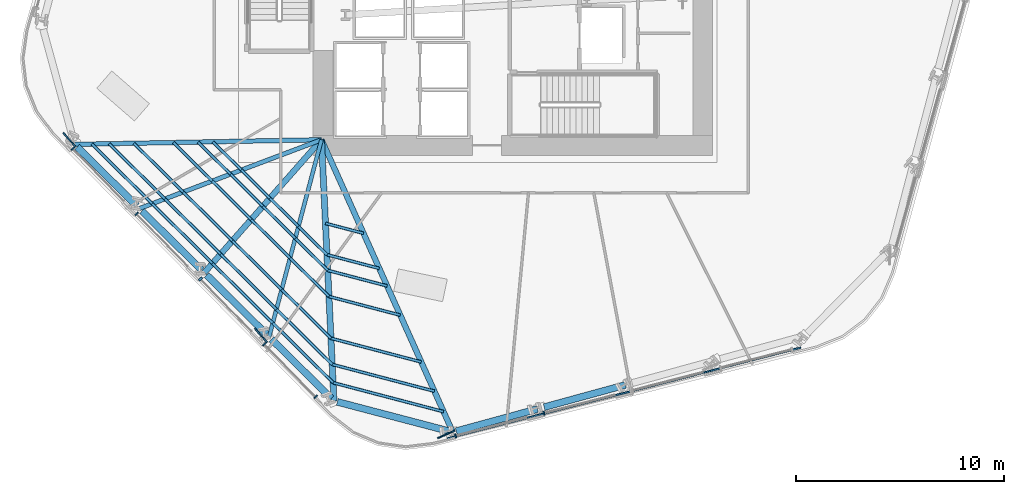
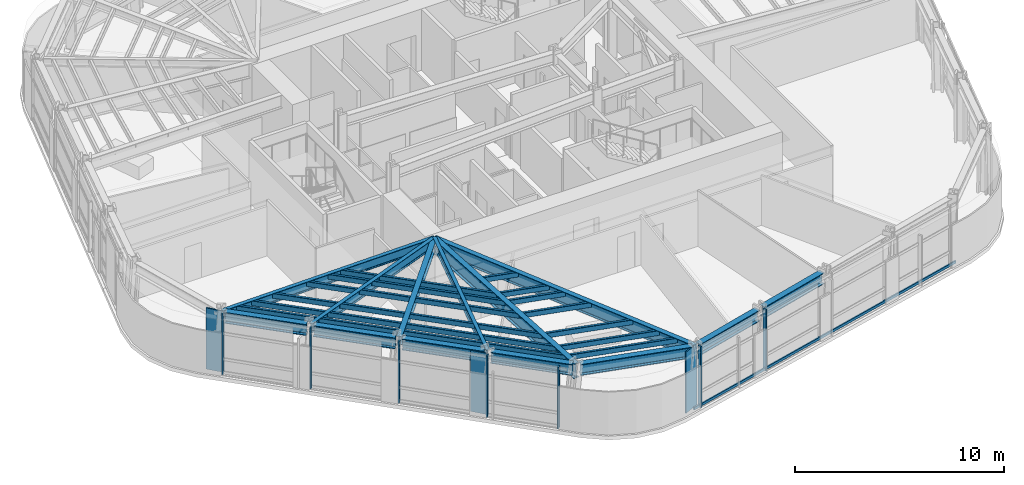
# One storey, part 2 of 17: 42 members, 13 beams, 2 elements without a shape of their own.
"""IFC4 building model written with IfcOpenShell, lengths in metres."""

from ifc_helpers import new_model, si_unit, direction, frame, origin, origin_2d, place, context, subcontext, project, spatial, rectangle, hollow_rectangle, i_section, extrude, material, layer, layer_set, material_profile, profile_set, type_object, element, aggregate, save


model = new_model("IFC4")

# Units and contexts
model_context = context("Model", 3, precision=1e-05, world=origin(), true_north=direction((0.0, 1.0)))
body_context = subcontext(model_context, "Body", "Model", "MODEL_VIEW")
ifc_project = project(units=[si_unit("LENGTHUNIT", "METRE"), si_unit("AREAUNIT", "SQUARE_METRE"), si_unit("VOLUMEUNIT", "CUBIC_METRE"), si_unit("PLANEANGLEUNIT", "RADIAN"), si_unit("MASSUNIT", "GRAM", prefix="KILO")], contexts=[model_context])

# Site, building, storey
site_placement = place(None, origin())
site = spatial("IfcSite", under=ifc_project, at=site_placement, CompositionType="ELEMENT")
building_placement = place(site_placement, origin())
building = spatial("IfcBuilding", under=site, at=building_placement, Name="Valkerne Bourse Tower", CompositionType="ELEMENT")
storey_placement = place(building_placement, frame((0.0, 0.0, 85.800048828125)))
storey = spatial("IfcBuildingStorey", under=building, at=storey_placement, Name="L21", CompositionType="ELEMENT", Elevation=85.800048828125)

# Beams
ifc_material_1 = material(Name="Steel ASTM A992", Category="steel")
ifc_material_profile_1 = material_profile(ifc_material_1, i_section(OverallWidth=0.1904296875, OverallDepth=0.457275390625, WebThickness=0.009033203125, FlangeThickness=0.014404296875, FilletRadius=0.01513671875, at=origin_2d()), Name="W18X50")
ifc_profile_set_1 = profile_set([ifc_material_profile_1], Name="Steel ASTM A992")
beam_type_1 = type_object("IfcBeamType", Name="BM-W18X50", PredefinedType="JOIST", material=ifc_profile_set_1)
beam_1_placement = place(storey_placement, frame((35.08251953125, 8.927978515625, 3.351318359375), z_axis=(0.256874944894, 0.966444650606, 0.0), x_axis=(-0.966444650606, 0.256874944894, 0.0)))
element("IfcBeam", 1, at=beam_1_placement, inside=storey, type_object=beam_type_1, Name="L21 Radial Composite Floor Beam 18", PredefinedType="JOIST", context=body_context, shape_type="SweptSolid", body=[
    extrude(i_section(OverallWidth=0.1904296875, OverallDepth=0.457275390625, WebThickness=0.009033203125, FlangeThickness=0.014404296875, FilletRadius=0.01513671875, at=origin_2d()), origin(), (0.0, 0.0, 1.0), 9.80078125),
])
ifc_material_profile_2 = material_profile(ifc_material_1, i_section(OverallWidth=0.279296875, OverallDepth=0.46240234375, WebThickness=0.0107421875, FlangeThickness=0.017333984375, FilletRadius=0.017822265625, at=origin_2d()), Name="W18X76")
ifc_profile_set_2 = profile_set([ifc_material_profile_2], Name="Steel ASTM A992")
beam_type_2 = type_object("IfcBeamType", Name="BM-W18X76", PredefinedType="BEAM", material=ifc_profile_set_2)
beam_2_placement = place(storey_placement, frame((31.967041015625, 12.010986328125, 3.3486328125), z_axis=(0.661342879331, 0.750083725966, 0.0), x_axis=(-0.750083725966, 0.661342879331, 0.0)))
element("IfcBeam", 2, at=beam_2_placement, inside=storey, type_object=beam_type_2, Name="L21 Radial Composite Floor Beam 17", PredefinedType="BEAM", context=body_context, shape_type="SweptSolid", body=[
    extrude(i_section(OverallWidth=0.279296875, OverallDepth=0.46240234375, WebThickness=0.0107421875, FlangeThickness=0.017333984375, FilletRadius=0.017822265625, at=origin_2d()), origin(), (0.0, 0.0, 1.0), 8.517578125),
])
ifc_material_profile_3 = material_profile(ifc_material_1, i_section(OverallWidth=0.209228515625, OverallDepth=0.533447265625, WebThickness=0.01025390625, FlangeThickness=0.015625, FilletRadius=0.017822265625, at=origin_2d()), Name="W21X62")
ifc_profile_set_3 = profile_set([ifc_material_profile_3], Name="Steel ASTM A992")
beam_type_3 = type_object("IfcBeamType", Name="BM-W21X62", PredefinedType="JOIST", material=ifc_profile_set_3)
beam_3_placement = place(storey_placement, frame((28.8515625, 15.09375, 3.313232421875), z_axis=(0.935431430217, 0.353508188536, 0.0), x_axis=(-0.353508188536, 0.935431430217, 0.0)))
element("IfcBeam", 3, at=beam_3_placement, inside=storey, type_object=beam_type_3, Name="L21 Radial Composite Floor Beam 16", PredefinedType="JOIST", context=body_context, shape_type="SweptSolid", body=[
    extrude(i_section(OverallWidth=0.209228515625, OverallDepth=0.533447265625, WebThickness=0.01025390625, FlangeThickness=0.015625, FilletRadius=0.017822265625, at=origin_2d()), origin(), (0.0, 0.0, 1.0), 9.352294921875),
])
ifc_material_profile_4 = material_profile(ifc_material_1, i_section(OverallWidth=0.2138671875, OverallDepth=0.548583984375, WebThickness=0.0146484375, FlangeThickness=0.023681640625, FilletRadius=0.017822265625, at=origin_2d()), Name="W21X93")
ifc_profile_set_4 = profile_set([ifc_material_profile_4], Name="Steel ASTM A992")
beam_type_4 = type_object("IfcBeamType", Name="BM-W21X93", PredefinedType="BEAM", material=ifc_profile_set_4)
beam_4_placement = place(storey_placement, frame((25.736083984375, 18.1767578125, 3.3056640625), z_axis=(0.999823166715, 0.018805193423, 0.0), x_axis=(-0.018805193423, 0.999823166715, 0.0)))
element("IfcBeam", 4, at=beam_4_placement, inside=storey, type_object=beam_type_4, Name="L21 Radial Composite Floor Beam 15", PredefinedType="BEAM", context=body_context, shape_type="SweptSolid", body=[
    extrude(i_section(OverallWidth=0.2138671875, OverallDepth=0.548583984375, WebThickness=0.0146484375, FlangeThickness=0.023681640625, FilletRadius=0.017822265625, at=origin_2d()), origin(), (0.0, 0.0, 1.0), 11.8662109375),
])
ifc_material_profile_5 = material_profile(ifc_material_1, i_section(OverallWidth=0.330078125, OverallDepth=0.647705078125, WebThickness=0.0205078125, FlangeThickness=0.037109375, FilletRadius=0.020263671875, at=origin_2d()), Name="W24X192")
ifc_profile_set_5 = profile_set([ifc_material_profile_5], Name="Steel ASTM A992")
beam_type_5 = type_object("IfcBeamType", Name="BM-W24X192", PredefinedType="SPANDREL", material=ifc_profile_set_5)
beam_5_placement = place(storey_placement, frame((25.85693359375, 18.05712890625, 3.256103515625), z_axis=(0.71081080522, -0.703383251992, 0.0), x_axis=(0.703383251992, 0.71081080522, 0.0)))
element("IfcBeam", 5, at=beam_5_placement, inside=storey, type_object=beam_type_5, Name="L21 Hexagonal Spandrel Ring Beam 15", PredefinedType="SPANDREL", context=body_context, shape_type="SweptSolid", body=[
    extrude(i_section(OverallWidth=0.330078125, OverallDepth=0.647705078125, WebThickness=0.0205078125, FlangeThickness=0.037109375, FilletRadius=0.020263671875, at=origin_2d()), origin(), (0.0, 0.0, 1.0), 4.04296875),
])
beam_6_placement = place(storey_placement, frame((28.972412109375, 14.97412109375, 3.256103515625), z_axis=(0.710840997487, -0.703352739592, 0.0), x_axis=(0.703352739592, 0.710840997487, 0.0)))
element("IfcBeam", 6, at=beam_6_placement, inside=storey, type_object=beam_type_5, Name="L21 Hexagonal Spandrel Ring Beam 16", PredefinedType="SPANDREL", context=body_context, shape_type="SweptSolid", body=[
    extrude(i_section(OverallWidth=0.330078125, OverallDepth=0.647705078125, WebThickness=0.0205078125, FlangeThickness=0.037109375, FilletRadius=0.020263671875, at=origin_2d()), origin(), (0.0, 0.0, 1.0), 4.042724609375),
])
beam_7_placement = place(storey_placement, frame((32.087890625, 11.891357421875, 3.256103515625), z_axis=(0.71081080522, -0.703383251992, 0.0), x_axis=(0.703383251992, 0.71081080522, 0.0)))
element("IfcBeam", 7, at=beam_7_placement, inside=storey, type_object=beam_type_5, Name="L21 Hexagonal Spandrel Ring Beam 17", PredefinedType="SPANDREL", context=body_context, shape_type="SweptSolid", body=[
    extrude(i_section(OverallWidth=0.330078125, OverallDepth=0.647705078125, WebThickness=0.0205078125, FlangeThickness=0.037109375, FilletRadius=0.020263671875, at=origin_2d()), origin(), (0.0, 0.0, 1.0), 4.04296875),
])
beam_8_placement = place(storey_placement, frame((35.203125, 8.808349609375, 3.256103515625), z_axis=(0.710840679451, -0.703353061013, 0.0), x_axis=(0.703353061013, 0.710840679451, 0.0)))
element("IfcBeam", 8, at=beam_8_placement, inside=storey, type_object=beam_type_5, Name="L21 Hexagonal Spandrel Ring Beam 18", PredefinedType="SPANDREL", context=body_context, shape_type="SweptSolid", body=[
    extrude(i_section(OverallWidth=0.330078125, OverallDepth=0.647705078125, WebThickness=0.0205078125, FlangeThickness=0.037109375, FilletRadius=0.020263671875, at=origin_2d()), origin(), (0.0, 0.0, 1.0), 4.043212890625),
])
beam_9_placement = place(storey_placement, frame((38.3623046875, 5.8017578125, 3.256103515625), z_axis=(0.967266914695, -0.253761139139, 0.0), x_axis=(0.253761139139, 0.967266914695, 0.0)))
element("IfcBeam", 9, at=beam_9_placement, inside=storey, type_object=beam_type_5, Name="L21 Hexagonal Spandrel Ring Beam 19", PredefinedType="SPANDREL", context=body_context, shape_type="SweptSolid", body=[
    extrude(i_section(OverallWidth=0.330078125, OverallDepth=0.647705078125, WebThickness=0.0205078125, FlangeThickness=0.037109375, FilletRadius=0.020263671875, at=origin_2d()), origin(), (0.0, 0.0, 1.0), 5.564697265625),
])
for number, where, z_axis, x_axis, name in (
    (10, (44.0732421875, 4.3916015625, 3.256103515625), (0.964568458165, 0.263832692276, 0.0), (-0.263832692276, 0.964568458165, 0.0), "L21 Hexagonal Spandrel Ring Beam 20"),
    (11, (48.30078125, 5.548095703125, 3.256103515625), (0.964568458165, 0.263832692276, 0.0), (-0.263832692276, 0.964568458165, 0.0), "L21 Hexagonal Spandrel Ring Beam 21"),
):
    element("IfcBeam", number, at=place(storey_placement, frame(where, z_axis=z_axis, x_axis=x_axis)), inside=storey, type_object=beam_type_5, Name=name, PredefinedType="SPANDREL", context=body_context, shape_type="SweptSolid", body=[
        extrude(i_section(OverallWidth=0.330078125, OverallDepth=0.647705078125, WebThickness=0.0205078125, FlangeThickness=0.037109375, FilletRadius=0.020263671875, at=origin_2d()), origin(), (0.0, 0.0, 1.0), 4.04296875),
    ])
ifc_material_profile_6 = material_profile(ifc_material_1, i_section(OverallWidth=0.26806640625, OverallDepth=0.76953125, WebThickness=0.015625, FlangeThickness=0.025390625, FilletRadius=0.025390625, at=origin_2d()), Name="W30X132")
ifc_profile_set_6 = profile_set([ifc_material_profile_6], Name="Steel ASTM A992")
beam_type_6 = type_object("IfcBeamType", Name="BM-W30X132", PredefinedType="BEAM", material=ifc_profile_set_6)
beam_10_placement = place(storey_placement, frame((43.9091796875, 4.3466796875, 3.195068359375), z_axis=(-0.409561869496, 0.912282343934, 0.0), x_axis=(-0.912282343934, -0.409561869496, 0.0)))
element("IfcBeam", 12, at=beam_10_placement, inside=storey, type_object=beam_type_6, Name="L21 Radial Composite Floor Beam 20", PredefinedType="BEAM", context=body_context, shape_type="SweptSolid", body=[
    extrude(i_section(OverallWidth=0.26806640625, OverallDepth=0.76953125, WebThickness=0.015625, FlangeThickness=0.025390625, FilletRadius=0.025390625, at=origin_2d()), origin(), (0.0, 0.0, 1.0), 15.404541015625),
])
ifc_material_profile_7 = material_profile(ifc_material_1, i_section(OverallWidth=0.2919921875, OverallDepth=0.8583984375, WebThickness=0.01708984375, FlangeThickness=0.031005859375, FilletRadius=0.025390625, at=origin_2d()), Name="W33X169")
ifc_profile_set_7 = profile_set([ifc_material_profile_7], Name="Steel ASTM A992")
beam_type_7 = type_object("IfcBeamType", Name="BM-W33X169", PredefinedType="BEAM", material=ifc_profile_set_7)
beam_11_placement = place(storey_placement, frame((38.197998046875, 5.844970703125, 3.150634765625), z_axis=(-0.047568840813, 0.998867961937, 0.0), x_axis=(-0.998867961937, -0.047568840813, 0.0)))
element("IfcBeam", 13, at=beam_11_placement, inside=storey, type_object=beam_type_7, Name="L21 Radial Composite Floor Beam 19", PredefinedType="BEAM", context=body_context, shape_type="SweptSolid", body=[
    extrude(i_section(OverallWidth=0.2919921875, OverallDepth=0.8583984375, WebThickness=0.01708984375, FlangeThickness=0.031005859375, FilletRadius=0.025390625, at=origin_2d()), origin(), (0.0, 0.0, 1.0), 12.569091796875),
])

# Curtain wall, members
ifc_material_2 = material(Name="Aluminium AA 6063-T6", Category="aluminium")
ifc_layer = layer(ifc_material_2, 0.22998046875)
ifc_layer_set = layer_set([ifc_layer], Name="Aluminium AA 6063-T6")
curtain_wall_type = type_object("IfcCurtainWallType", Name="CW-02", PredefinedType="NOTDEFINED", material=ifc_layer_set)
curtain_wall_1_placement = place(storey_placement, origin())
curtain_wall_1 = element("IfcCurtainWall", 14, at=curtain_wall_1_placement, inside=storey, type_object=curtain_wall_type, Name="L21 Hexagonal Stick Curtain Wall Face 4", PredefinedType="NOTDEFINED")
ifc_material_profile_8 = material_profile(ifc_material_2, rectangle(XDim=0.074951171875, YDim=0.199951171875, at=origin_2d()), Name="CWM-75X200")
ifc_profile_set_8 = profile_set([ifc_material_profile_8], Name="Aluminium AA 6063-T6")
member_type_1 = type_object("IfcMemberType", Name="CW-MUL-220X75", PredefinedType="MULLION", material=ifc_profile_set_8)
member_1_placement = place(storey_placement, frame((25.651123046875, 17.970703125, 0.0), z_axis=(0.0, 0.0, 1.0), x_axis=(0.699652940841, -0.714482863596, 0.0)))
member_1 = element("IfcMember", 15, at=member_1_placement, type_object=member_type_1, Name="CW-L21-F4 Jamb Mullion 00A", PredefinedType="MULLION", context=body_context, shape_type="SweptSolid", body=[
    extrude(rectangle(XDim=0.074951171875, YDim=0.199951171875, at=origin_2d()), origin(), (0.0, 0.0, 1.0), 3.579833984375),
])
member_2_placement = place(storey_placement, frame((28.7177734375, 14.839111328125, 0.0), z_axis=(0.0, 0.0, 1.0), x_axis=(0.699664346061, -0.714471694927, 0.0)))
member_2 = element("IfcMember", 16, at=member_2_placement, type_object=member_type_1, Name="CW-L21-F4 Jamb Mullion 01A", PredefinedType="MULLION", context=body_context, shape_type="SweptSolid", body=[
    extrude(rectangle(XDim=0.074951171875, YDim=0.199951171875, at=origin_2d()), origin(), (0.0, 0.0, 1.0), 3.579833984375),
])
member_3_placement = place(storey_placement, frame((31.7841796875, 11.707763671875, 0.0), z_axis=(0.0, 0.0, 1.0), x_axis=(0.699664346061, -0.714471694927, 0.0)))
member_3 = element("IfcMember", 17, at=member_3_placement, type_object=member_type_1, Name="CW-L21-F4 Jamb Mullion 02A", PredefinedType="MULLION", context=body_context, shape_type="SweptSolid", body=[
    extrude(rectangle(XDim=0.074951171875, YDim=0.199951171875, at=origin_2d()), origin(), (0.0, 0.0, 1.0), 3.579833984375),
])
member_4_placement = place(storey_placement, frame((34.850830078125, 8.576171875, 0.0), z_axis=(0.0, 0.0, 1.0), x_axis=(0.699664587428, -0.714471458562, 0.0)))
member_4 = element("IfcMember", 18, at=member_4_placement, type_object=member_type_1, Name="CW-L21-F4 Jamb Mullion 03A", PredefinedType="MULLION", context=body_context, shape_type="SweptSolid", body=[
    extrude(rectangle(XDim=0.074951171875, YDim=0.199951171875, at=origin_2d()), origin(), (0.0, 0.0, 1.0), 3.579833984375),
])
member_5_placement = place(storey_placement, frame((37.329833984375, 6.044921875, 0.0), z_axis=(0.0, 0.0, 1.0), x_axis=(0.699664587428, -0.714471458562, 0.0)))
member_5 = element("IfcMember", 19, at=member_5_placement, type_object=member_type_1, Name="CW-L21-F4 Jamb Mullion 03B", PredefinedType="MULLION", context=body_context, shape_type="SweptSolid", body=[
    extrude(rectangle(XDim=0.074951171875, YDim=0.199951171875, at=origin_2d()), origin(), (0.0, 0.0, 1.0), 3.579833984375),
])
aggregate(curtain_wall_1, [member_1, member_2, member_3, member_4, member_5])

curtain_wall_2_placement = place(storey_placement, origin())
curtain_wall_2 = element("IfcCurtainWall", 20, at=curtain_wall_2_placement, inside=storey, type_object=curtain_wall_type, Name="L21 Hexagonal Stick Curtain Wall Face 5", PredefinedType="NOTDEFINED")
member_6_placement = place(storey_placement, frame((44.045166015625, 4.169921875, 0.0), z_axis=(0.0, 0.0, 1.0), x_axis=(0.96858358851, 0.248688222617, 0.0)))
member_6 = element("IfcMember", 21, at=member_6_placement, type_object=member_type_1, Name="CW-L21-F5 Jamb Mullion 00A", PredefinedType="MULLION", context=body_context, shape_type="SweptSolid", body=[
    extrude(rectangle(XDim=0.074951171875, YDim=0.199951171875, at=origin_2d()), origin(), (0.0, 0.0, 1.0), 3.579833984375),
])
member_7_placement = place(storey_placement, frame((48.290283203125, 5.260009765625, 0.0), z_axis=(0.0, 0.0, 1.0), x_axis=(0.96858358851, 0.248688222617, 0.0)))
member_7 = element("IfcMember", 22, at=member_7_placement, type_object=member_type_1, Name="CW-L21-F5 Jamb Mullion 01A", PredefinedType="MULLION", context=body_context, shape_type="SweptSolid", body=[
    extrude(rectangle(XDim=0.074951171875, YDim=0.199951171875, at=origin_2d()), origin(), (0.0, 0.0, 1.0), 3.579833984375),
])
ifc_material_profile_9 = material_profile(ifc_material_2, rectangle(XDim=0.074951171875, YDim=0.14990234375, at=origin_2d()), Name="CWT-75X150")
ifc_profile_set_9 = profile_set([ifc_material_profile_9], Name="Aluminium AA 6063-T6")
member_type_2 = type_object("IfcMemberType", Name="CW-TRN-180X65", PredefinedType="USERDEFINED", material=ifc_profile_set_9)
member_8_placement = place(storey_placement, frame((43.643310546875, 4.046142578125, 0.119873046875), z_axis=(0.968585471025, 0.248680890541, 0.0), x_axis=(-0.248680890541, 0.968585471025, 0.0)))
member_8 = element("IfcMember", 23, at=member_8_placement, type_object=member_type_2, Name="CW-L21-F5 Continuous Face Transom 1", ObjectType="TRANSOM", PredefinedType="USERDEFINED", context=body_context, shape_type="SweptSolid", body=[
    extrude(rectangle(XDim=0.074951171875, YDim=0.14990234375, at=origin_2d()), origin(), (0.0, 0.0, 1.0), 17.531982421875),
])
aggregate(curtain_wall_2, [member_8, member_6, member_7])

# Members
ifc_material_3 = material(Name="Bronze Anodised Aluminium AA 6063-T6", Category="aluminium")
ifc_material_profile_10 = material_profile(ifc_material_3, rectangle(XDim=0.070068359375, YDim=0.89990234375, at=origin_2d()), Name="FIN-70X900")
ifc_profile_set_10 = profile_set([ifc_material_profile_10], Name="Bronze Anodised Aluminium AA 6063-T6")
member_type_3 = type_object("IfcMemberType", Name="FIN-SOLAR-900", PredefinedType="USERDEFINED", material=ifc_profile_set_10)
for number, where, z_axis, x_axis, name in (
    (24, (25.48583984375, 18.39697265625, 0.00390625), (0.0, 0.0, 1.0), (-0.754842867577, -0.655905667964, 0.0), "L21 Bronze Anodised Solar Fin F4-00"),
    (25, (34.685791015625, 9.002197265625, 0.00390625), (0.0, 0.0, 1.0), (-0.7548296418, -0.655920888416, 0.0), "L21 Bronze Anodised Solar Fin F4-03"),
    (26, (43.593505859375, 4.23974609375, 0.00390625), (0.0, 0.0, 1.0), (0.413957031705, -0.910296421998, 0.0), "L21 Bronze Anodised Solar Fin F5-00"),
):
    element("IfcMember", number, at=place(storey_placement, frame(where, z_axis=z_axis, x_axis=x_axis)), inside=storey, type_object=member_type_3, Name=name, ObjectType="SOLAR_FIN", PredefinedType="USERDEFINED", context=body_context, shape_type="SweptSolid", body=[
        extrude(rectangle(XDim=0.070068359375, YDim=0.89990234375, at=origin_2d()), origin(), (0.0, 0.0, 1.0), 3.572021484375),
    ])
ifc_material_4 = material(Name="Steel ASTM A500 Grade C", Category="steel")
ifc_material_profile_11 = material_profile(ifc_material_4, hollow_rectangle(XDim=0.14990234375, YDim=0.300048828125, WallThickness=0.012451171875, OuterFilletRadius=0.02490234375, at=origin_2d()), Name="HSS300X150X12.5")
ifc_profile_set_11 = profile_set([ifc_material_profile_11], Name="Steel ASTM A500 Grade C")
member_type_4 = type_object("IfcMemberType", Name="MBR-HSS300X150X12.5", PredefinedType="PURLIN", material=ifc_profile_set_11)
member_9_placement = place(storey_placement, frame((37.791259765625, 14.38232421875, 3.419921875), z_axis=(0.967265067602, -0.253768179638, 0.0), x_axis=(0.253768179638, 0.967265067602, 0.0)))
element("IfcMember", 27, at=member_9_placement, inside=storey, type_object=member_type_4, Name="L21 Secondary Composite Floor Purlin I-19", PredefinedType="PURLIN", context=body_context, shape_type="SweptSolid", body=[
    extrude(hollow_rectangle(XDim=0.14990234375, YDim=0.300048828125, WallThickness=0.012451171875, OuterFilletRadius=0.02490234375, at=origin_2d()), origin(), (0.0, 0.0, 1.0), 1.889404296875),
])
for number, where, z_axis, x_axis, name in (
    (28, (32.3798828125, 18.3017578125, 3.419921875), (0.710831474555, -0.70336236378, 0.0), (0.70336236378, 0.710831474555, 0.0), "L21 Secondary Composite Floor Purlin K-15"),
    (29, (33.750732421875, 16.9453125, 3.419921875), (0.710831474555, -0.70336236378, 0.0), (0.70336236378, 0.710831474555, 0.0), "L21 Secondary Composite Floor Purlin K-16"),
):
    element("IfcMember", number, at=place(storey_placement, frame(where, z_axis=z_axis, x_axis=x_axis)), inside=storey, type_object=member_type_4, Name=name, PredefinedType="PURLIN", context=body_context, shape_type="SweptSolid", body=[
        extrude(hollow_rectangle(XDim=0.14990234375, YDim=0.300048828125, WallThickness=0.012451171875, OuterFilletRadius=0.02490234375, at=origin_2d()), origin(), (0.0, 0.0, 1.0), 1.928466796875),
    ])
member_10_placement = place(storey_placement, frame((35.12158203125, 15.5888671875, 3.419921875), z_axis=(0.710768837149, -0.703425660705, 0.0), x_axis=(0.703425660705, 0.710768837149, 0.0)))
element("IfcMember", 30, at=member_10_placement, inside=storey, type_object=member_type_4, Name="L21 Secondary Composite Floor Purlin K-17", PredefinedType="PURLIN", context=body_context, shape_type="SweptSolid", body=[
    extrude(hollow_rectangle(XDim=0.14990234375, YDim=0.300048828125, WallThickness=0.012451171875, OuterFilletRadius=0.02490234375, at=origin_2d()), origin(), (0.0, 0.0, 1.0), 1.92822265625),
])
member_11_placement = place(storey_placement, frame((36.4921875, 14.232421875, 3.419921875), z_axis=(0.710768183295, -0.703426321384, 0.0), x_axis=(0.703426321384, 0.710768183295, 0.0)))
element("IfcMember", 31, at=member_11_placement, inside=storey, type_object=member_type_4, Name="L21 Secondary Composite Floor Purlin K-18", PredefinedType="PURLIN", context=body_context, shape_type="SweptSolid", body=[
    extrude(hollow_rectangle(XDim=0.14990234375, YDim=0.300048828125, WallThickness=0.012451171875, OuterFilletRadius=0.02490234375, at=origin_2d()), origin(), (0.0, 0.0, 1.0), 1.9287109375),
])
member_12_placement = place(storey_placement, frame((37.863037109375, 12.875732421875, 3.419921875), z_axis=(0.967275087395, -0.253729985035, 0.0), x_axis=(0.253729985035, 0.967275087395, 0.0)))
element("IfcMember", 32, at=member_12_placement, inside=storey, type_object=member_type_4, Name="L21 Secondary Composite Floor Purlin K-19", PredefinedType="PURLIN", context=body_context, shape_type="SweptSolid", body=[
    extrude(hollow_rectangle(XDim=0.14990234375, YDim=0.300048828125, WallThickness=0.012451171875, OuterFilletRadius=0.02490234375, at=origin_2d()), origin(), (0.0, 0.0, 1.0), 2.597900390625),
])
for number, where, z_axis, x_axis, name in (
    (33, (31.668212890625, 18.288330078125, 3.419921875), (0.710773639221, -0.70342080847, 0.0), (0.70342080847, 0.710773639221, 0.0), "L21 Secondary Composite Floor Purlin M-15"),
    (34, (33.225830078125, 16.746826171875, 3.419921875), (0.710773639221, -0.70342080847, 0.0), (0.70342080847, 0.710773639221, 0.0), "L21 Secondary Composite Floor Purlin M-16"),
):
    element("IfcMember", number, at=place(storey_placement, frame(where, z_axis=z_axis, x_axis=x_axis)), inside=storey, type_object=member_type_4, Name=name, PredefinedType="PURLIN", context=body_context, shape_type="SweptSolid", body=[
        extrude(hollow_rectangle(XDim=0.14990234375, YDim=0.300048828125, WallThickness=0.012451171875, OuterFilletRadius=0.02490234375, at=origin_2d()), origin(), (0.0, 0.0, 1.0), 2.19140625),
    ])
member_13_placement = place(storey_placement, frame((34.783447265625, 15.205322265625, 3.419921875), z_axis=(0.710828756716, -0.703365110469, 0.0), x_axis=(0.703365110469, 0.710828756716, 0.0)))
element("IfcMember", 35, at=member_13_placement, inside=storey, type_object=member_type_4, Name="L21 Secondary Composite Floor Purlin M-17", PredefinedType="PURLIN", context=body_context, shape_type="SweptSolid", body=[
    extrude(hollow_rectangle(XDim=0.14990234375, YDim=0.300048828125, WallThickness=0.012451171875, OuterFilletRadius=0.02490234375, at=origin_2d()), origin(), (0.0, 0.0, 1.0), 2.191650390625),
])
member_14_placement = place(storey_placement, frame((36.34130859375, 13.663818359375, 3.419921875), z_axis=(0.710773639221, -0.70342080847, 0.0), x_axis=(0.70342080847, 0.710773639221, 0.0)))
element("IfcMember", 36, at=member_14_placement, inside=storey, type_object=member_type_4, Name="L21 Secondary Composite Floor Purlin M-18", PredefinedType="PURLIN", context=body_context, shape_type="SweptSolid", body=[
    extrude(hollow_rectangle(XDim=0.14990234375, YDim=0.300048828125, WallThickness=0.012451171875, OuterFilletRadius=0.02490234375, at=origin_2d()), origin(), (0.0, 0.0, 1.0), 2.19140625),
])
member_15_placement = place(storey_placement, frame((37.89892578125, 12.122314453125, 3.419921875), z_axis=(0.967280955147, -0.253707614806, 0.0), x_axis=(0.253707614806, 0.967280955147, 0.0)))
element("IfcMember", 37, at=member_15_placement, inside=storey, type_object=member_type_4, Name="L21 Secondary Composite Floor Purlin M-19", PredefinedType="PURLIN", context=body_context, shape_type="SweptSolid", body=[
    extrude(hollow_rectangle(XDim=0.14990234375, YDim=0.300048828125, WallThickness=0.012451171875, OuterFilletRadius=0.02490234375, at=origin_2d()), origin(), (0.0, 0.0, 1.0), 2.952392578125),
])
member_16_placement = place(storey_placement, frame((28.58349609375, 18.23046875, 3.419921875), z_axis=(0.710761761805, -0.703432809838, 0.0), x_axis=(0.703432809838, 0.710761761805, 0.0)))
element("IfcMember", 38, at=member_16_placement, inside=storey, type_object=member_type_4, Name="L21 Secondary Composite Floor Purlin O-15", PredefinedType="PURLIN", context=body_context, shape_type="SweptSolid", body=[
    extrude(hollow_rectangle(XDim=0.14990234375, YDim=0.300048828125, WallThickness=0.012451171875, OuterFilletRadius=0.02490234375, at=origin_2d()), origin(), (0.0, 0.0, 1.0), 3.331298828125),
])
for number, where, z_axis, x_axis, name in (
    (39, (30.951171875, 15.88720703125, 3.419921875), (0.710798405521, -0.703395782407, 0.0), (0.703395782407, 0.710798405521, 0.0), "L21 Secondary Composite Floor Purlin O-16"),
    (40, (33.31884765625, 13.544189453125, 3.419921875), (0.710798405521, -0.703395782407, 0.0), (0.703395782407, 0.710798405521, 0.0), "L21 Secondary Composite Floor Purlin O-17"),
):
    element("IfcMember", number, at=place(storey_placement, frame(where, z_axis=z_axis, x_axis=x_axis)), inside=storey, type_object=member_type_4, Name=name, PredefinedType="PURLIN", context=body_context, shape_type="SweptSolid", body=[
        extrude(hollow_rectangle(XDim=0.14990234375, YDim=0.300048828125, WallThickness=0.012451171875, OuterFilletRadius=0.02490234375, at=origin_2d()), origin(), (0.0, 0.0, 1.0), 3.3310546875),
    ])
member_17_placement = place(storey_placement, frame((35.6865234375, 11.201171875, 3.419921875), z_axis=(0.710834665692, -0.703359138741, 0.0), x_axis=(0.703359138741, 0.710834665692, 0.0)))
element("IfcMember", 41, at=member_17_placement, inside=storey, type_object=member_type_4, Name="L21 Secondary Composite Floor Purlin O-18", PredefinedType="PURLIN", context=body_context, shape_type="SweptSolid", body=[
    extrude(hollow_rectangle(XDim=0.14990234375, YDim=0.300048828125, WallThickness=0.012451171875, OuterFilletRadius=0.02490234375, at=origin_2d()), origin(), (0.0, 0.0, 1.0), 3.331298828125),
])
member_18_placement = place(storey_placement, frame((38.054443359375, 8.858154296875, 3.419921875), z_axis=(0.967270868634, -0.253746067344, 0.0), x_axis=(0.253746067344, 0.967270868634, 0.0)))
element("IfcMember", 42, at=member_18_placement, inside=storey, type_object=member_type_4, Name="L21 Secondary Composite Floor Purlin O-19", PredefinedType="PURLIN", context=body_context, shape_type="SweptSolid", body=[
    extrude(hollow_rectangle(XDim=0.14990234375, YDim=0.300048828125, WallThickness=0.012451171875, OuterFilletRadius=0.02490234375, at=origin_2d()), origin(), (0.0, 0.0, 1.0), 4.487548828125),
])
for number, where, z_axis, x_axis, name in (
    (43, (30.481689453125, 18.26611328125, 3.419921875), (0.710810288685, -0.703383773981, 0.0), (0.703383773981, 0.710810288685, 0.0), "L21 Secondary Composite Floor Purlin Z-15"),
    (44, (32.35107421875, 16.416259765625, 3.419921875), (0.710764355905, -0.7034301887, 0.0), (0.7034301887, 0.710764355905, 0.0), "L21 Secondary Composite Floor Purlin Z-16"),
):
    element("IfcMember", number, at=place(storey_placement, frame(where, z_axis=z_axis, x_axis=x_axis)), inside=storey, type_object=member_type_4, Name=name, PredefinedType="PURLIN", context=body_context, shape_type="SweptSolid", body=[
        extrude(hollow_rectangle(XDim=0.14990234375, YDim=0.300048828125, WallThickness=0.012451171875, OuterFilletRadius=0.02490234375, at=origin_2d()), origin(), (0.0, 0.0, 1.0), 2.6298828125),
    ])
member_19_placement = place(storey_placement, frame((34.22021484375, 14.56640625, 3.419921875), z_axis=(0.710810773671, -0.703383283873, 0.0), x_axis=(0.703383283873, 0.710810773671, 0.0)))
element("IfcMember", 45, at=member_19_placement, inside=storey, type_object=member_type_4, Name="L21 Secondary Composite Floor Purlin Z-17", PredefinedType="PURLIN", context=body_context, shape_type="SweptSolid", body=[
    extrude(hollow_rectangle(XDim=0.14990234375, YDim=0.300048828125, WallThickness=0.012451171875, OuterFilletRadius=0.02490234375, at=origin_2d()), origin(), (0.0, 0.0, 1.0), 2.629638671875),
])
member_20_placement = place(storey_placement, frame((36.08935546875, 12.716796875, 3.419921875), z_axis=(0.710810288685, -0.703383773981, 0.0), x_axis=(0.703383773981, 0.710810288685, 0.0)))
element("IfcMember", 46, at=member_20_placement, inside=storey, type_object=member_type_4, Name="L21 Secondary Composite Floor Purlin Z-18", PredefinedType="PURLIN", context=body_context, shape_type="SweptSolid", body=[
    extrude(hollow_rectangle(XDim=0.14990234375, YDim=0.300048828125, WallThickness=0.012451171875, OuterFilletRadius=0.02490234375, at=origin_2d()), origin(), (0.0, 0.0, 1.0), 2.6298828125),
])
member_21_placement = place(storey_placement, frame((37.958740234375, 10.866943359375, 3.419921875), z_axis=(0.967272415529, -0.25374017056, 0.0), x_axis=(0.25374017056, 0.967272415529, 0.0)))
element("IfcMember", 47, at=member_21_placement, inside=storey, type_object=member_type_4, Name="L21 Secondary Composite Floor Purlin Z-19", PredefinedType="PURLIN", context=body_context, shape_type="SweptSolid", body=[
    extrude(hollow_rectangle(XDim=0.14990234375, YDim=0.300048828125, WallThickness=0.012451171875, OuterFilletRadius=0.02490234375, at=origin_2d()), origin(), (0.0, 0.0, 1.0), 3.542724609375),
])
member_22_placement = place(storey_placement, frame((27.39697265625, 18.2080078125, 3.419921875), z_axis=(0.710821093833, -0.703372854581, 0.0), x_axis=(0.703372854581, 0.710821093833, 0.0)))
element("IfcMember", 48, at=member_22_placement, inside=storey, type_object=member_type_4, Name="L21 Secondary Composite Floor Purlin T-15", PredefinedType="PURLIN", context=body_context, shape_type="SweptSolid", body=[
    extrude(hollow_rectangle(XDim=0.14990234375, YDim=0.300048828125, WallThickness=0.012451171875, OuterFilletRadius=0.02490234375, at=origin_2d()), origin(), (0.0, 0.0, 1.0), 3.76953125),
])
member_23_placement = place(storey_placement, frame((30.076416015625, 15.556640625, 3.419921875), z_axis=(0.710821433173, -0.703372511648, 0.0), x_axis=(0.703372511648, 0.710821433173, 0.0)))
element("IfcMember", 49, at=member_23_placement, inside=storey, type_object=member_type_4, Name="L21 Secondary Composite Floor Purlin T-16", PredefinedType="PURLIN", context=body_context, shape_type="SweptSolid", body=[
    extrude(hollow_rectangle(XDim=0.14990234375, YDim=0.300048828125, WallThickness=0.012451171875, OuterFilletRadius=0.02490234375, at=origin_2d()), origin(), (0.0, 0.0, 1.0), 3.76904296875),
])
for number, where, z_axis, x_axis, name in (
    (50, (32.755615234375, 12.905517578125, 3.419921875), (0.710756666425, -0.703437958268, 0.0), (0.703437958268, 0.710756666425, 0.0), "L21 Secondary Composite Floor Purlin T-17"),
    (51, (35.434814453125, 10.25390625, 3.419921875), (0.710821093833, -0.703372854581, 0.0), (0.703372854581, 0.710821093833, 0.0), "L21 Secondary Composite Floor Purlin T-18"),
):
    element("IfcMember", number, at=place(storey_placement, frame(where, z_axis=z_axis, x_axis=x_axis)), inside=storey, type_object=member_type_4, Name=name, PredefinedType="PURLIN", context=body_context, shape_type="SweptSolid", body=[
        extrude(hollow_rectangle(XDim=0.14990234375, YDim=0.300048828125, WallThickness=0.012451171875, OuterFilletRadius=0.02490234375, at=origin_2d()), origin(), (0.0, 0.0, 1.0), 3.76953125),
    ])
member_24_placement = place(storey_placement, frame((38.1142578125, 7.6025390625, 3.419921875), z_axis=(0.96727788347, -0.253719325533, 0.0), x_axis=(0.253719325533, 0.96727788347, 0.0)))
element("IfcMember", 52, at=member_24_placement, inside=storey, type_object=member_type_4, Name="L21 Secondary Composite Floor Purlin T-19", PredefinedType="PURLIN", context=body_context, shape_type="SweptSolid", body=[
    extrude(hollow_rectangle(XDim=0.14990234375, YDim=0.300048828125, WallThickness=0.012451171875, OuterFilletRadius=0.02490234375, at=origin_2d()), origin(), (0.0, 0.0, 1.0), 5.077880859375),
])
for number, where, z_axis, x_axis, name in (
    (53, (26.566650390625, 18.1923828125, 3.419921875), (0.710810398187, -0.703383663322, 0.0), (0.703383663322, 0.710810398187, 0.0), "L21 Secondary Composite Floor Purlin U-15"),
    (54, (29.464111328125, 15.3251953125, 3.419921875), (0.710780764307, -0.703413608833, 0.0), (0.703413608833, 0.710780764307, 0.0), "L21 Secondary Composite Floor Purlin U-16"),
    (55, (32.361328125, 12.4580078125, 3.419921875), (0.710780764307, -0.703413608833, 0.0), (0.703413608833, 0.710780764307, 0.0), "L21 Secondary Composite Floor Purlin U-17"),
    (56, (35.258544921875, 9.5908203125, 3.419921875), (0.710840343664, -0.703353400375, 0.0), (0.703353400375, 0.710840343664, 0.0), "L21 Secondary Composite Floor Purlin U-18"),
):
    element("IfcMember", number, at=place(storey_placement, frame(where, z_axis=z_axis, x_axis=x_axis)), inside=storey, type_object=member_type_4, Name=name, PredefinedType="PURLIN", context=body_context, shape_type="SweptSolid", body=[
        extrude(hollow_rectangle(XDim=0.14990234375, YDim=0.300048828125, WallThickness=0.012451171875, OuterFilletRadius=0.02490234375, at=origin_2d()), origin(), (0.0, 0.0, 1.0), 4.076171875),
    ])
member_25_placement = place(storey_placement, frame((38.156005859375, 6.723876953125, 3.419921875), z_axis=(0.967263166602, -0.253775425398, 0.0), x_axis=(0.253775425398, 0.967263166602, 0.0)))
element("IfcMember", 57, at=member_25_placement, inside=storey, type_object=member_type_4, Name="L21 Secondary Composite Floor Purlin U-19", PredefinedType="PURLIN", context=body_context, shape_type="SweptSolid", body=[
    extrude(hollow_rectangle(XDim=0.14990234375, YDim=0.300048828125, WallThickness=0.012451171875, OuterFilletRadius=0.02490234375, at=origin_2d()), origin(), (0.0, 0.0, 1.0), 5.4912109375),
])

save(model, "model.ifc")
